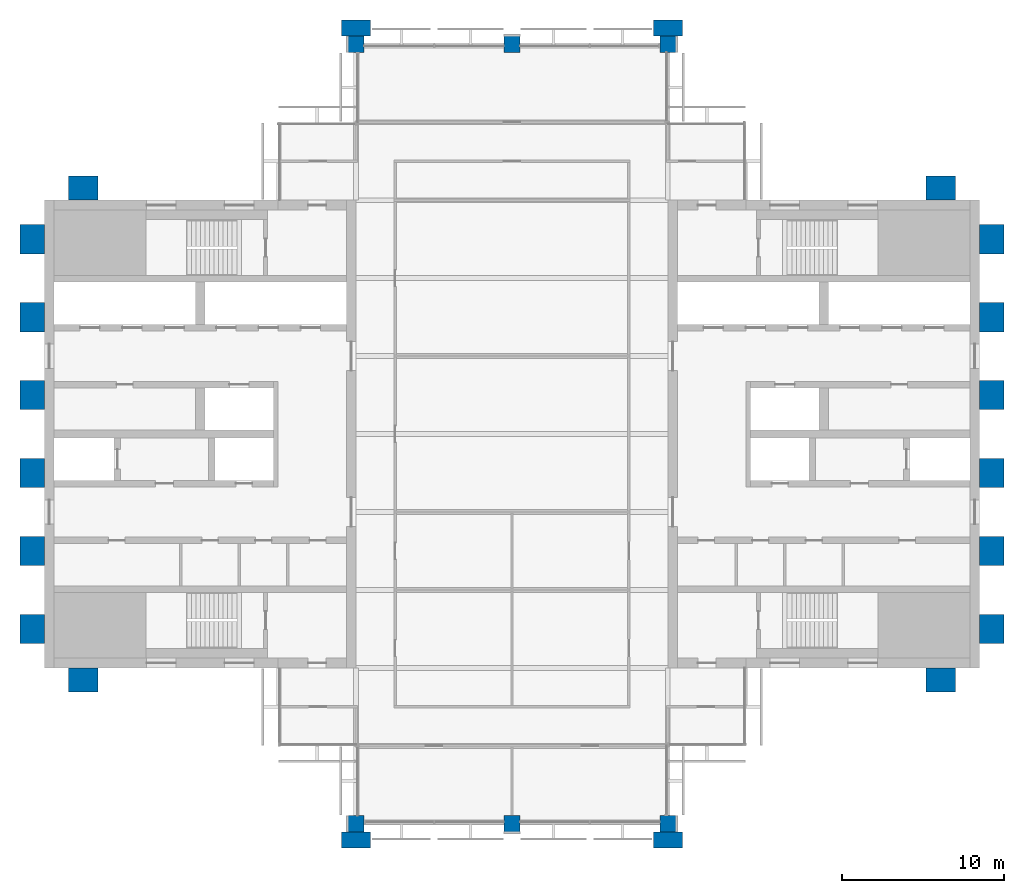
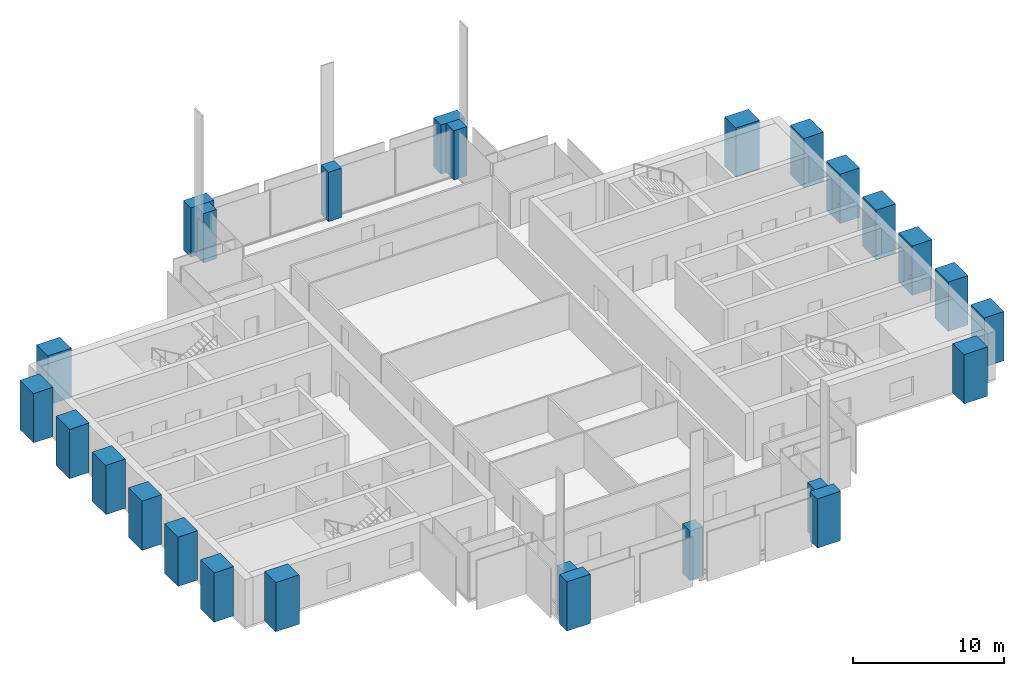
# One storey, part 1 of 12: 26 columns.
"""IFC4 building model written with IfcOpenShell, lengths in metres."""

from ifc_helpers import new_model, si_unit, direction, frame, origin, origin_2d, place, context, subcontext, project, spatial, rectangle, extrude, material, material_profile, profile_set, type_object, element, save


model = new_model("IFC4")

# Units and contexts
model_context = context("Model", 3, precision=1e-05, world=origin(), true_north=direction((0.0, 1.0)))
body_context = subcontext(model_context, "Body", "Model", "MODEL_VIEW")
ifc_project = project(units=[si_unit("LENGTHUNIT", "METRE"), si_unit("AREAUNIT", "SQUARE_METRE"), si_unit("VOLUMEUNIT", "CUBIC_METRE"), si_unit("PLANEANGLEUNIT", "RADIAN"), si_unit("MASSUNIT", "GRAM", prefix="KILO")], contexts=[model_context])

# Site, building, storey
site_placement = place(None, origin())
site = spatial("IfcSite", under=ifc_project, at=site_placement, CompositionType="ELEMENT")
building_placement = place(site_placement, origin())
building = spatial("IfcBuilding", under=site, at=building_placement, Name="Baori Bourse Tower", CompositionType="ELEMENT")
storey_placement = place(building_placement, frame((0.0, 0.0, 342.300048828125)))
storey = spatial("IfcBuildingStorey", under=building, at=storey_placement, Name="L76", CompositionType="ELEMENT", Elevation=342.300048828125)

# Columns
ifc_material_1 = material(Name="Concrete f'c 60 MPa", Category="concrete")
ifc_material_profile_1 = material_profile(ifc_material_1, rectangle(XDim=1.800048828125, YDim=1.0, at=origin_2d()), Name="RC 1800x1000")
ifc_profile_set_1 = profile_set([ifc_material_profile_1], Name="Concrete f'c 60 MPa")
column_type_1 = type_object("IfcColumnType", Name="FN3 Brick pilaster 1800x1000", PredefinedType="PILASTER", material=ifc_profile_set_1)
for number, where, z_axis, x_axis, name in (
    (1, (19.199951171875, -1.0, 0.0), (0.0, 0.0, 1.0), (1.0, 0.0, 0.0), "Brick pilaster L76 17"),
    (2, (38.39990234375, -1.0, 0.0), (0.0, 0.0, 1.0), (1.0, 0.0, 0.0), "Brick pilaster L76 18"),
    (3, (19.199951171875, 49.0, 0.0), (0.0, 0.0, 1.0), (1.0, 0.0, 0.0), "Brick pilaster L76 19"),
    (4, (38.39990234375, 49.0, 0.0), (0.0, 0.0, 1.0), (1.0, 0.0, 0.0), "Brick pilaster L76 20"),
):
    element("IfcColumn", number, at=place(storey_placement, frame(where, z_axis=z_axis, x_axis=x_axis)), inside=storey, type_object=column_type_1, Name=name, PredefinedType="PILASTER", context=body_context, shape_type="SweptSolid", body=[
        extrude(rectangle(XDim=1.800048828125, YDim=1.0, at=origin_2d()), origin(), (0.0, 0.0, 1.0), 4.0),
    ])
ifc_material_2 = material(Name="Concrete f'c 60 MPa", Category="concrete")
ifc_material_profile_2 = material_profile(ifc_material_2, rectangle(XDim=1.800048828125, YDim=1.5, at=origin_2d()), Name="RC 1800x1500")
ifc_profile_set_2 = profile_set([ifc_material_profile_2], Name="Concrete f'c 60 MPa")
column_type_2 = type_object("IfcColumnType", Name="FN4 Brick flank pilaster 1800x1500", PredefinedType="PILASTER", material=ifc_profile_set_2)
for number, where, z_axis, x_axis, name in (
    (5, (55.199951171875, 8.85009765625, 0.0), (0.0, 0.0, 1.0), (1.0, 0.0, 0.0), "Brick pilaster L76 1"),
    (6, (58.35009765625, 12.0, 0.0), (0.0, 0.0, 1.0), (0.0, 1.0, 0.0), "Brick pilaster L76 2"),
    (7, (58.35009765625, 16.800048828125, 0.0), (0.0, 0.0, 1.0), (0.0, 1.0, 0.0), "Brick pilaster L76 3"),
    (8, (58.35009765625, 21.60009765625, 0.0), (0.0, 0.0, 1.0), (0.0, 1.0, 0.0), "Brick pilaster L76 4"),
    (9, (58.35009765625, 26.39990234375, 0.0), (0.0, 0.0, 1.0), (0.0, 1.0, 0.0), "Brick pilaster L76 5"),
    (10, (58.35009765625, 31.199951171875, 0.0), (0.0, 0.0, 1.0), (0.0, 1.0, 0.0), "Brick pilaster L76 6"),
    (11, (58.35009765625, 36.0, 0.0), (0.0, 0.0, 1.0), (0.0, 1.0, 0.0), "Brick pilaster L76 7"),
    (12, (55.199951171875, 39.14990234375, 0.0), (0.0, 0.0, 1.0), (1.0, 0.0, 0.0), "Brick pilaster L76 8"),
    (13, (2.39990234375, 39.14990234375, 0.0), (0.0, 0.0, 1.0), (1.0, 0.0, 0.0), "Brick pilaster L76 9"),
    (14, (-0.75, 12.0, 0.0), (0.0, 0.0, 1.0), (0.0, 1.0, 0.0), "Brick pilaster L76 10"),
    (15, (-0.75, 16.800048828125, 0.0), (0.0, 0.0, 1.0), (0.0, 1.0, 0.0), "Brick pilaster L76 11"),
    (16, (-0.75, 21.60009765625, 0.0), (0.0, 0.0, 1.0), (0.0, 1.0, 0.0), "Brick pilaster L76 12"),
    (17, (-0.75, 26.39990234375, 0.0), (0.0, 0.0, 1.0), (0.0, 1.0, 0.0), "Brick pilaster L76 13"),
    (18, (-0.75, 31.199951171875, 0.0), (0.0, 0.0, 1.0), (0.0, 1.0, 0.0), "Brick pilaster L76 14"),
    (19, (-0.75, 36.0, 0.0), (0.0, 0.0, 1.0), (0.0, 1.0, 0.0), "Brick pilaster L76 15"),
    (20, (2.39990234375, 8.85009765625, 0.0), (0.0, 0.0, 1.0), (1.0, 0.0, 0.0), "Brick pilaster L76 16"),
):
    element("IfcColumn", number, at=place(storey_placement, frame(where, z_axis=z_axis, x_axis=x_axis)), inside=storey, type_object=column_type_2, Name=name, PredefinedType="PILASTER", context=body_context, shape_type="SweptSolid", body=[
        extrude(rectangle(XDim=1.800048828125, YDim=1.5, at=origin_2d()), origin(), (0.0, 0.0, 1.0), 4.0),
    ])
ifc_material_3 = material(Name="Concrete f'c 40 MPa", Category="concrete")
ifc_material_profile_3 = material_profile(ifc_material_3, rectangle(XDim=1.0, YDim=1.0, at=origin_2d()), Name="RC 1000x1000")
ifc_profile_set_3 = profile_set([ifc_material_profile_3], Name="Concrete f'c 40 MPa")
column_type_3 = type_object("IfcColumnType", Name="Perimeter column 40 RC 1000x1000", PredefinedType="COLUMN", material=ifc_profile_set_3)
for number, where, z_axis, x_axis, name in (
    (21, (19.199951171875, 0.0, 0.0), (0.0, 0.0, 1.0), (1.0, 0.0, 0.0), "Perimeter column L76"),
    (22, (28.800048828125, 0.0, 0.0), (0.0, 0.0, 1.0), (1.0, 0.0, 0.0), "Perimeter column L76"),
    (23, (38.39990234375, 0.0, 0.0), (0.0, 0.0, 1.0), (1.0, 0.0, 0.0), "Perimeter column L76"),
    (24, (19.199951171875, 48.0, 0.0), (0.0, 0.0, 1.0), (1.0, 0.0, 0.0), "Perimeter column L76"),
    (25, (28.800048828125, 48.0, 0.0), (0.0, 0.0, 1.0), (1.0, 0.0, 0.0), "Perimeter column L76"),
    (26, (38.39990234375, 48.0, 0.0), (0.0, 0.0, 1.0), (1.0, 0.0, 0.0), "Perimeter column L76"),
):
    element("IfcColumn", number, at=place(storey_placement, frame(where, z_axis=z_axis, x_axis=x_axis)), inside=storey, type_object=column_type_3, Name=name, PredefinedType="COLUMN", context=body_context, shape_type="SweptSolid", body=[
        extrude(rectangle(XDim=1.0, YDim=1.0, at=origin_2d()), origin(), (0.0, 0.0, 1.0), 4.0),
    ])

save(model, "model.ifc")
